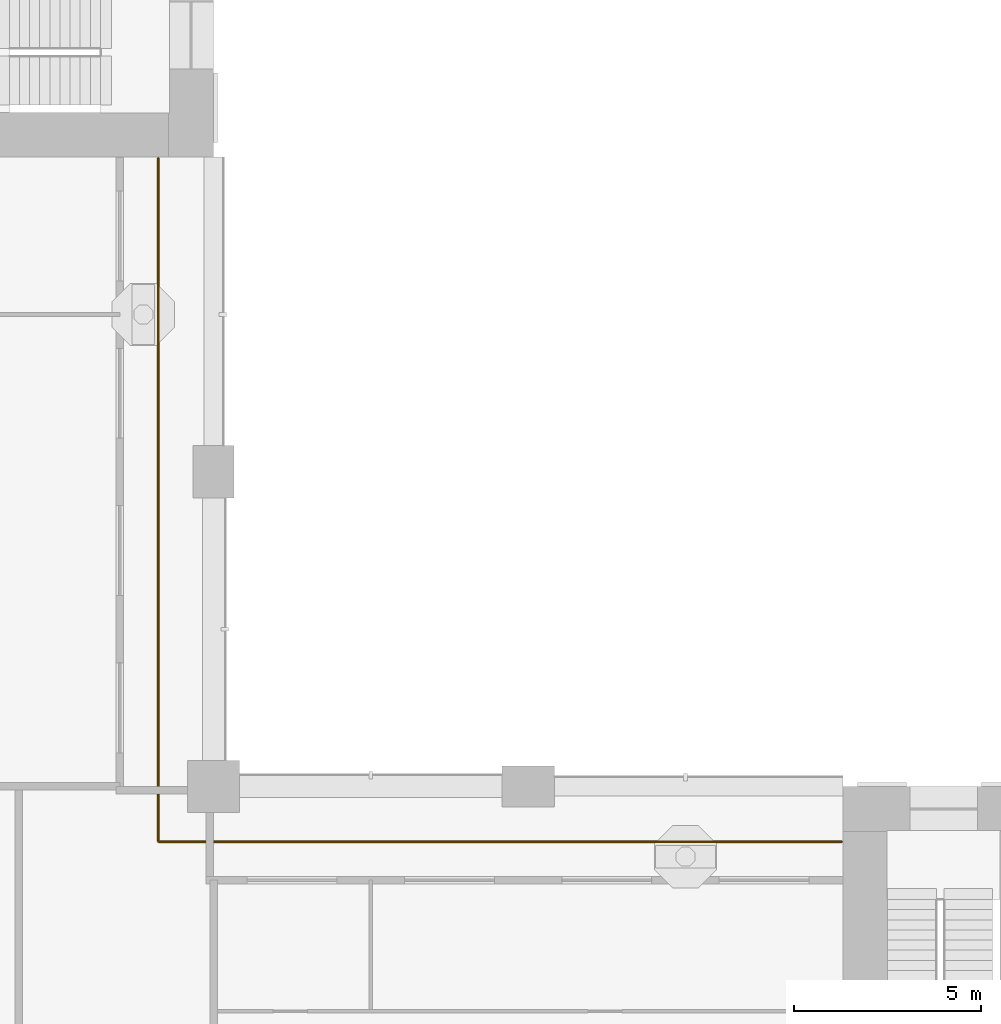
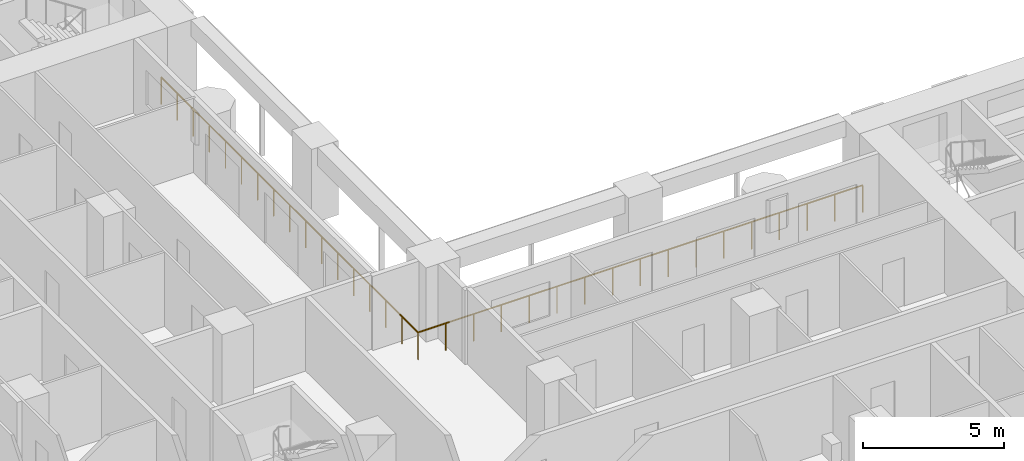
# One storey, part 15 of 19: 1 railing.
"""IFC4 building model written with IfcOpenShell, lengths in metres."""

from ifc_helpers import new_model, si_unit, direction, frame, origin, origin_2d, place, context, subcontext, project, spatial, circle, extrude, material, type_object, element, save


model = new_model("IFC4")

# Units and contexts
model_context = context("Model", 3, precision=1e-05, world=origin(), true_north=direction((0.0, 1.0)))
body_context = subcontext(model_context, "Body", "Model", "MODEL_VIEW")
ifc_project = project(units=[si_unit("LENGTHUNIT", "METRE"), si_unit("AREAUNIT", "SQUARE_METRE"), si_unit("VOLUMEUNIT", "CUBIC_METRE"), si_unit("PLANEANGLEUNIT", "RADIAN"), si_unit("MASSUNIT", "GRAM", prefix="KILO")], contexts=[model_context])

# Site, building, storey
site_placement = place(None, origin())
site = spatial("IfcSite", under=ifc_project, at=site_placement, CompositionType="ELEMENT")
building_placement = place(site_placement, origin())
building = spatial("IfcBuilding", under=site, at=building_placement, Name="Vermilion Gate Residences", CompositionType="ELEMENT")
storey_placement = place(building_placement, frame((0.0, 0.0, 32.199951171875)))
storey = spatial("IfcBuildingStorey", under=building, at=storey_placement, Name="L06", CompositionType="ELEMENT", Elevation=32.199951171875)

# Railing
ifc_material = material(Name="Stainless steel and toughened glass", Category="steel")
railing_type = type_object("IfcRailingType", Name="LOGGIA GUARD STEEL AND GLASS 1200", PredefinedType="GUARDRAIL", material=ifc_material)
railing_placement = place(storey_placement, frame((41.97802734375, 23.72509765625, 0.0)))
element("IfcRailing", 1, at=railing_placement, inside=storey, type_object=railing_type, Name="Loggia guard", PredefinedType="GUARDRAIL", context=body_context, shape_type="SweptSolid", body=[
    extrude(circle(Radius=0.030029296875, at=origin_2d()), frame((0.0, 0.0, 1.169921875), z_axis=(-1.0, 0.0, 0.0), x_axis=(0.0, -1.0, 0.0)), (0.0, 0.0, 1.0), 18.2529296875),
    extrude(circle(Radius=0.030029296875, at=origin_2d()), frame((-18.2529296875, 0.0, 1.169921875), z_axis=(0.0, 1.0, 0.0), x_axis=(-1.0, 0.0, 0.0)), (0.0, 0.0, 1.0), 18.2529296875),
    extrude(circle(Radius=0.02490234375, at=origin_2d()), origin(), (0.0, 0.0, 1.0), 1.139892578125),
    extrude(circle(Radius=0.02490234375, at=origin_2d()), frame((-1.140869140625, 0.0, 0.0)), (0.0, 0.0, 1.0), 1.139892578125),
    extrude(circle(Radius=0.02490234375, at=origin_2d()), frame((-2.28173828125, 0.0, 0.0)), (0.0, 0.0, 1.0), 1.139892578125),
    extrude(circle(Radius=0.02490234375, at=origin_2d()), frame((-3.42236328125, 0.0, 0.0)), (0.0, 0.0, 1.0), 1.139892578125),
    extrude(circle(Radius=0.02490234375, at=origin_2d()), frame((-4.563232421875, 0.0, 0.0)), (0.0, 0.0, 1.0), 1.139892578125),
    extrude(circle(Radius=0.02490234375, at=origin_2d()), frame((-5.7041015625, 0.0, 0.0)), (0.0, 0.0, 1.0), 1.139892578125),
    extrude(circle(Radius=0.02490234375, at=origin_2d()), frame((-6.8447265625, 0.0, 0.0)), (0.0, 0.0, 1.0), 1.139892578125),
    extrude(circle(Radius=0.02490234375, at=origin_2d()), frame((-7.985595703125, 0.0, 0.0)), (0.0, 0.0, 1.0), 1.139892578125),
    extrude(circle(Radius=0.02490234375, at=origin_2d()), frame((-9.12646484375, 0.0, 0.0)), (0.0, 0.0, 1.0), 1.139892578125),
    extrude(circle(Radius=0.02490234375, at=origin_2d()), frame((-10.267333984375, 0.0, 0.0)), (0.0, 0.0, 1.0), 1.139892578125),
    extrude(circle(Radius=0.02490234375, at=origin_2d()), frame((-11.408203125, 0.0, 0.0)), (0.0, 0.0, 1.0), 1.139892578125),
    extrude(circle(Radius=0.02490234375, at=origin_2d()), frame((-12.548828125, 0.0, 0.0)), (0.0, 0.0, 1.0), 1.139892578125),
    extrude(circle(Radius=0.02490234375, at=origin_2d()), frame((-13.689697265625, 0.0, 0.0)), (0.0, 0.0, 1.0), 1.139892578125),
    extrude(circle(Radius=0.02490234375, at=origin_2d()), frame((-14.83056640625, 0.0, 0.0)), (0.0, 0.0, 1.0), 1.139892578125),
    extrude(circle(Radius=0.02490234375, at=origin_2d()), frame((-15.97119140625, 0.0, 0.0)), (0.0, 0.0, 1.0), 1.139892578125),
    extrude(circle(Radius=0.02490234375, at=origin_2d()), frame((-17.112060546875, 0.0, 0.0)), (0.0, 0.0, 1.0), 1.139892578125),
    extrude(circle(Radius=0.02490234375, at=origin_2d()), frame((-18.2529296875, 0.0, 0.0)), (0.0, 0.0, 1.0), 1.139892578125),
    extrude(circle(Radius=0.02490234375, at=origin_2d()), frame((-18.2529296875, 1.140869140625, 0.0)), (0.0, 0.0, 1.0), 1.139892578125),
    extrude(circle(Radius=0.02490234375, at=origin_2d()), frame((-18.2529296875, 2.28173828125, 0.0)), (0.0, 0.0, 1.0), 1.139892578125),
    extrude(circle(Radius=0.02490234375, at=origin_2d()), frame((-18.2529296875, 3.42236328125, 0.0)), (0.0, 0.0, 1.0), 1.139892578125),
    extrude(circle(Radius=0.02490234375, at=origin_2d()), frame((-18.2529296875, 4.563232421875, 0.0)), (0.0, 0.0, 1.0), 1.139892578125),
    extrude(circle(Radius=0.02490234375, at=origin_2d()), frame((-18.2529296875, 5.7041015625, 0.0)), (0.0, 0.0, 1.0), 1.139892578125),
    extrude(circle(Radius=0.02490234375, at=origin_2d()), frame((-18.2529296875, 6.8447265625, 0.0)), (0.0, 0.0, 1.0), 1.139892578125),
    extrude(circle(Radius=0.02490234375, at=origin_2d()), frame((-18.2529296875, 7.985595703125, 0.0)), (0.0, 0.0, 1.0), 1.139892578125),
    extrude(circle(Radius=0.02490234375, at=origin_2d()), frame((-18.2529296875, 9.12646484375, 0.0)), (0.0, 0.0, 1.0), 1.139892578125),
    extrude(circle(Radius=0.02490234375, at=origin_2d()), frame((-18.2529296875, 10.267333984375, 0.0)), (0.0, 0.0, 1.0), 1.139892578125),
    extrude(circle(Radius=0.02490234375, at=origin_2d()), frame((-18.2529296875, 11.408203125, 0.0)), (0.0, 0.0, 1.0), 1.139892578125),
    extrude(circle(Radius=0.02490234375, at=origin_2d()), frame((-18.2529296875, 12.548828125, 0.0)), (0.0, 0.0, 1.0), 1.139892578125),
    extrude(circle(Radius=0.02490234375, at=origin_2d()), frame((-18.2529296875, 13.689697265625, 0.0)), (0.0, 0.0, 1.0), 1.139892578125),
    extrude(circle(Radius=0.02490234375, at=origin_2d()), frame((-18.2529296875, 14.83056640625, 0.0)), (0.0, 0.0, 1.0), 1.139892578125),
    extrude(circle(Radius=0.02490234375, at=origin_2d()), frame((-18.2529296875, 15.97119140625, 0.0)), (0.0, 0.0, 1.0), 1.139892578125),
    extrude(circle(Radius=0.02490234375, at=origin_2d()), frame((-18.2529296875, 17.112060546875, 0.0)), (0.0, 0.0, 1.0), 1.139892578125),
    extrude(circle(Radius=0.02490234375, at=origin_2d()), frame((-18.2529296875, 18.2529296875, 0.0)), (0.0, 0.0, 1.0), 1.139892578125),
])

save(model, "model.ifc")
